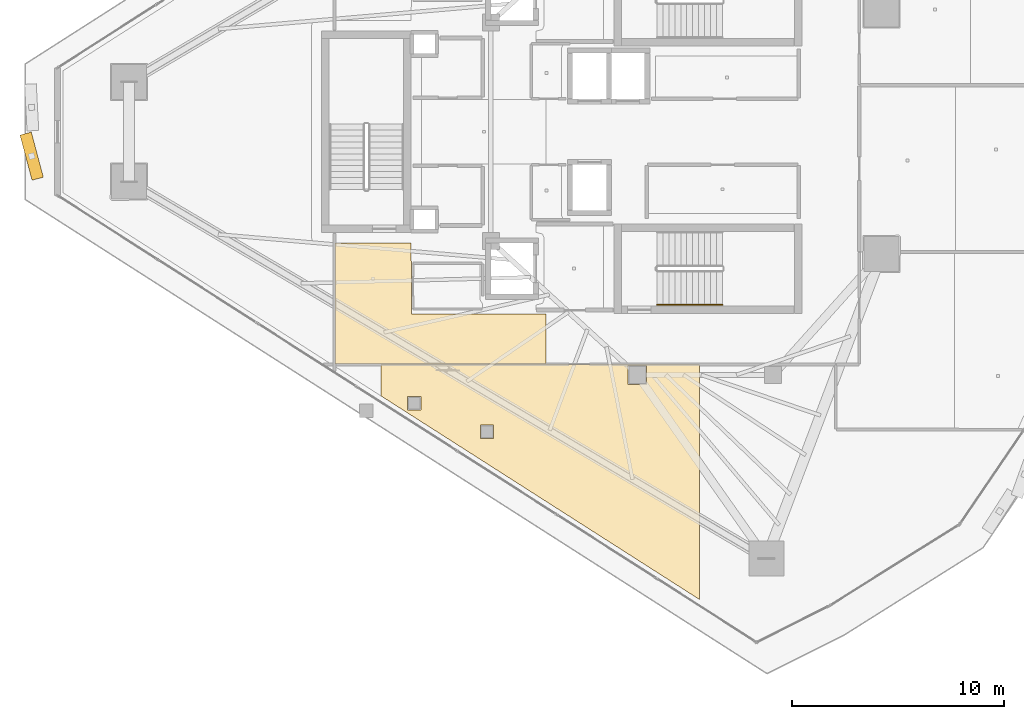
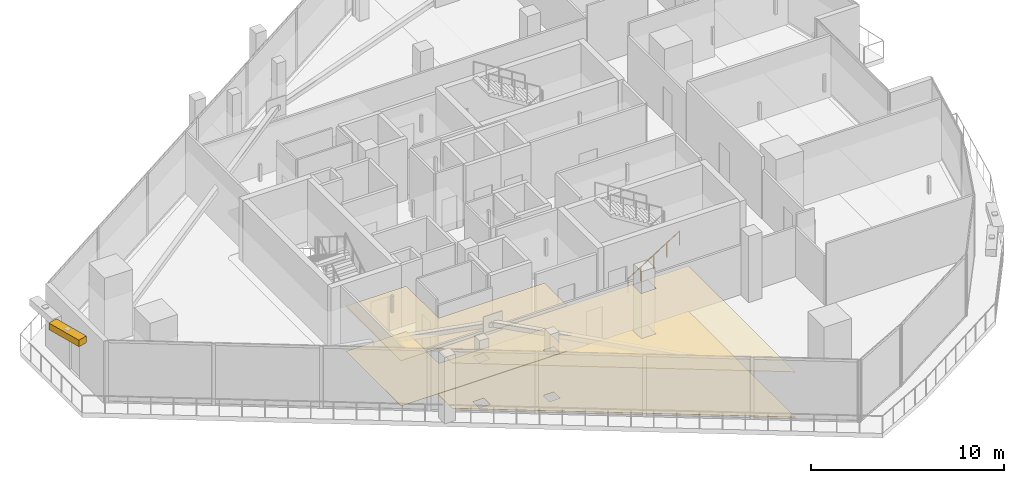
# One storey, part 29 of 34: 4 coverings, 1 railing, 1 shading device.
"""IFC4 building model written with IfcOpenShell, lengths in metres."""

import ifcopenshell
import ifcopenshell.guid

model = None  # the IFC model being written
_history = None  # IfcOwnerHistory: only IFC2X3 demands one
_inside = {}  # id of a spatial element -> (the spatial element, [elements in it])
_under = {}  # id of a project, library or spatial element -> (it, [spatial elements below it])
_declared = {}  # id of a project -> (the project, [libraries it declares])
_typed = {}  # id of a type object -> (the type object, [elements of that type])
_made_of = {}  # id of a material, layer set ... -> (it, [elements and type objects made of it])


def new_model(schema):
    """Start an empty IFC model of exactly this schema.

    Asked for "IFC4X3", IfcOpenShell would pick the latest addendum, in which some entities
    have other attributes; the version numbers below select the first issue.
    IFC2X3 requires an IfcOwnerHistory on every rooted entity: one is made here for all.
    """
    global model, _history
    if schema == "IFC4X3":
        model = ifcopenshell.file(schema_version=(4, 3, 0, 0))
    else:
        model = ifcopenshell.file(schema=schema)
    _inside.clear()
    _under.clear()
    _declared.clear()
    _typed.clear()
    _made_of.clear()
    _history = None
    if model.schema == "IFC2X3":
        org = make("IfcOrganization", Name="unknown")
        user = make(
            "IfcPersonAndOrganization",
            ThePerson=make("IfcPerson", FamilyName="unknown"),
            TheOrganization=org,
        )
        app = make(
            "IfcApplication",
            ApplicationDeveloper=org,
            Version="unknown",
            ApplicationFullName="unknown",
            ApplicationIdentifier="unknown",
        )
        _history = make(
            "IfcOwnerHistory",
            OwningUser=user,
            OwningApplication=app,
            ChangeAction="ADDED",
            CreationDate=0,
        )
    return model


def make(cls, **values):
    """One entity of the class cls with the attributes given. An attribute that is None is left unset."""
    return model.create_entity(
        cls, **{name: value for name, value in values.items() if value is not None}
    )


def rooted(cls, **values):
    """An entity with a GlobalId (a new one), such as an element, a storey or a relation."""
    return make(cls, GlobalId=ifcopenshell.guid.new(), OwnerHistory=_history, **values)


def si_unit(unit_type, name, prefix=None):
    """IfcSIUnit, for example si_unit("LENGTHUNIT", "METRE", prefix="MILLI")."""
    return make("IfcSIUnit", UnitType=unit_type, Prefix=prefix, Name=name)


def assignment(units):
    """IfcUnitAssignment: the units of a project."""
    return None if units is None else make("IfcUnitAssignment", Units=units)


def point(xyz):
    """IfcCartesianPoint."""
    return None if xyz is None else make("IfcCartesianPoint", Coordinates=xyz)


def direction(xyz):
    """IfcDirection."""
    return None if xyz is None else make("IfcDirection", DirectionRatios=xyz)


def frame(location, z_axis=None, x_axis=None):
    """IfcAxis2Placement3D, a coordinate frame: its origin and axes. An axis left out is left unset."""
    return make(
        "IfcAxis2Placement3D",
        Location=point(location),
        Axis=direction(z_axis),
        RefDirection=direction(x_axis),
    )


def frame_2d(location, x_axis=None):
    """IfcAxis2Placement2D, a coordinate frame in the plane: its origin and x axis."""
    return make(
        "IfcAxis2Placement2D", Location=point(location), RefDirection=direction(x_axis)
    )


def origin():
    """The frame at (0, 0, 0) with its axes left unset."""
    return frame((0.0, 0.0, 0.0))


def origin_2d():
    """The frame at (0, 0) in the plane with its x axis left unset."""
    return frame_2d((0.0, 0.0))


def place(relative_to, where):
    """IfcLocalPlacement: puts the frame where relative to a parent placement (None: the world)."""
    return make(
        "IfcLocalPlacement", PlacementRelTo=relative_to, RelativePlacement=where
    )


def context(
    kind, dimensions, precision=None, world=None, true_north=None, identifier=None
):
    """IfcGeometricRepresentationContext, for example the 3D "Model" context."""
    return make(
        "IfcGeometricRepresentationContext",
        ContextIdentifier=identifier,
        ContextType=kind,
        CoordinateSpaceDimension=dimensions,
        Precision=precision,
        WorldCoordinateSystem=world,
        TrueNorth=true_north,
    )


def subcontext(parent, identifier, kind, view, scale=None):
    """IfcGeometricRepresentationSubContext, for example "Body" below "Model"."""
    return make(
        "IfcGeometricRepresentationSubContext",
        ContextIdentifier=identifier,
        ContextType=kind,
        ParentContext=parent,
        TargetScale=scale,
        TargetView=view,
    )


def project(units=None, contexts=None):
    """IfcProject with its units and contexts."""
    return rooted(
        "IfcProject",
        Name="project",
        RepresentationContexts=contexts,
        UnitsInContext=assignment(units),
    )


def spatial(cls, under=None, at=None, **own):
    """A site, building, storey or space (cls), placed at a placement, below another one or the project."""
    s = rooted(cls, ObjectPlacement=at, **own)
    if under is not None:
        _under.setdefault(under.id(), (under, []))[1].append(s)
    return s


def polyline(points):
    """IfcPolyline through the points."""
    return make("IfcPolyline", Points=[point(p) for p in points])


def profile(cls, at=None, kind="AREA", **sizes):
    """A parametric profile (cls). Its sizes go by their IFC names, for example OverallWidth=200.0."""
    return make(cls, ProfileType=kind, Position=at, **sizes)


def rectangle(**sizes):
    """IfcRectangleProfileDef."""
    return profile("IfcRectangleProfileDef", **sizes)


def circle(**sizes):
    """IfcCircleProfileDef."""
    return profile("IfcCircleProfileDef", **sizes)


def outline(outer, holes=None, kind="AREA"):
    """IfcArbitraryClosedProfileDef: a profile drawn as a closed curve; with holes, ...WithVoids."""
    if holes is None:
        return make("IfcArbitraryClosedProfileDef", ProfileType=kind, OuterCurve=outer)
    return make(
        "IfcArbitraryProfileDefWithVoids",
        ProfileType=kind,
        OuterCurve=outer,
        InnerCurves=holes,
    )


def extrude(swept, where, along, depth):
    """IfcExtrudedAreaSolid: the profile swept, set in the frame where, extruded along a direction by depth."""
    return make(
        "IfcExtrudedAreaSolid",
        SweptArea=swept,
        Position=where,
        ExtrudedDirection=direction(along),
        Depth=depth,
    )


def shape(context_of_items, identifier, shape_type, items):
    """IfcShapeRepresentation: the items that make up one representation, for example the "Body"."""
    return make(
        "IfcShapeRepresentation",
        ContextOfItems=context_of_items,
        RepresentationIdentifier=identifier,
        RepresentationType=shape_type,
        Items=items,
    )


def material(Name=None, Category=None):
    """IfcMaterial."""
    return make("IfcMaterial", Name=Name, Category=Category)


def layer(
    of_material, thickness, ventilated=None, Name=None, Category=None, Priority=None
):
    """IfcMaterialLayer: one layer of a wall or slab, of a material (None: an air gap)."""
    return make(
        "IfcMaterialLayer",
        Material=of_material,
        LayerThickness=thickness,
        IsVentilated=ventilated,
        Name=Name,
        Category=Category,
        Priority=Priority,
    )


def layer_set(layers, Name=None):
    """IfcMaterialLayerSet."""
    return make("IfcMaterialLayerSet", MaterialLayers=layers, LayerSetName=Name)


def made_of(thing, what):
    """Note that an element or type object is made of a material, layer set ...; save() writes the relation."""
    if what is not None:
        _made_of.setdefault(what.id(), (what, []))[1].append(thing)
    return thing


def type_object(cls, material=None, **own):
    """A type object (cls), such as IfcWallType, which elements share."""
    return made_of(rooted(cls, **own), material)


def element(
    cls,
    number,
    at=None,
    inside=None,
    cuts=None,
    type_object=None,
    material=None,
    context=None,
    identifier="Body",
    shape_type=None,
    held_by="IfcProductDefinitionShape",
    body=None,
    shapes=None,
    **own,
):
    """One element of the class cls, such as IfcWall. Its Tag is "e" and its number.

    at: its placement. inside: the storey or other place that contains it. cuts: it is an
    opening in that element (IfcRelVoidsElement). A single representation is given by context,
    identifier, shape_type and body (its items); several are given by shapes. held_by: the class
    of the entity that holds the representations. save() writes the other relations.
    """
    e = rooted(cls, Tag="e%d" % number, ObjectPlacement=at, **own)
    if body is not None:
        shapes = [shape(context, identifier, shape_type, body)]
    if shapes is not None:
        e.Representation = make(held_by, Representations=shapes)
    if inside is not None:
        _inside.setdefault(inside.id(), (inside, []))[1].append(e)
    if cuts is not None:
        rooted(
            "IfcRelVoidsElement", RelatingBuildingElement=cuts, RelatedOpeningElement=e
        )
    if type_object is not None:
        _typed.setdefault(type_object.id(), (type_object, []))[1].append(e)
    return made_of(e, material)


def aggregate(whole, parts):
    """IfcRelAggregates: a whole, such as a stair, and the parts it consists of."""
    return rooted("IfcRelAggregates", RelatingObject=whole, RelatedObjects=parts)


def save(model, path):
    """Write the relations noted so far, then the file.

    IfcRelAggregates (storeys below a building ...), IfcRelContainedInSpatialStructure (elements
    in a storey), IfcRelDefinesByType, IfcRelAssociatesMaterial and IfcRelDeclares: one each for
    every whole, place, type object, material and project.
    """
    for whole, parts in _under.values():
        aggregate(whole, parts)
    for where, things in _inside.values():
        rooted(
            "IfcRelContainedInSpatialStructure",
            RelatedElements=things,
            RelatingStructure=where,
        )
    for kind, things in _typed.values():
        rooted("IfcRelDefinesByType", RelatedObjects=things, RelatingType=kind)
    for what, things in _made_of.values():
        rooted("IfcRelAssociatesMaterial", RelatedObjects=things, RelatingMaterial=what)
    for by, libraries in _declared.values():
        rooted("IfcRelDeclares", RelatingContext=by, RelatedDefinitions=libraries)
    model.write(path)


model = new_model("IFC4")

# Units and contexts
model_context = context("Model", 3, precision=1e-05, world=origin(), true_north=direction((0.0, 1.0)))
body_context = subcontext(model_context, "Body", "Model", "MODEL_VIEW")
ifc_project = project(units=[si_unit("LENGTHUNIT", "METRE"), si_unit("AREAUNIT", "SQUARE_METRE"), si_unit("VOLUMEUNIT", "CUBIC_METRE"), si_unit("PLANEANGLEUNIT", "RADIAN"), si_unit("MASSUNIT", "GRAM", prefix="KILO")], contexts=[model_context])

# Site, building, storey
site_placement = place(None, origin())
site = spatial("IfcSite", under=ifc_project, at=site_placement, CompositionType="ELEMENT")
building_placement = place(site_placement, origin())
building = spatial("IfcBuilding", under=site, at=building_placement, Name="Qorvath Tower", CompositionType="ELEMENT")
storey_placement = place(building_placement, frame((0.0, 0.0, 276.60009765625)))
storey = spatial("IfcBuildingStorey", under=building, at=storey_placement, Name="L64", CompositionType="ELEMENT", Elevation=276.60009765625)

# Coverings
ifc_material_1 = material(Name="Acoustic mineral fibre ceiling tile", Category="gypsum")
ifc_layer_1 = layer(ifc_material_1, 0.030029296875)
ifc_layer_set_1 = layer_set([ifc_layer_1], Name="COV-CEIL")
covering_type_1 = type_object("IfcCoveringType", Name="COV-CEIL", PredefinedType="CEILING", material=ifc_layer_set_1)
covering_1_placement = place(storey_placement, frame((0.0, 0.0, 2.849853515625)))
element("IfcCovering", 1, at=covering_1_placement, inside=storey, type_object=covering_type_1, Name="L64 Suspended Acoustic Ceiling 011", PredefinedType="CEILING", context=body_context, shape_type="SweptSolid", body=[
    extrude(outline(polyline([(-34.22509765625, -8.580078125), (-34.251220703125, -5.239990234375), (-37.844970703125, -5.239990234375), (-37.844970703125, -10.945068359375), (-27.8984375, -10.945068359375), (-27.8984375, -8.575927734375), (-34.22509765625, -8.580078125)])), origin(), (0.0, 0.0, 1.0), 0.030029296875),
])
covering_2_placement = place(storey_placement, frame((0.0, 0.0, 2.849853515625)))
element("IfcCovering", 2, at=covering_2_placement, inside=storey, type_object=covering_type_1, Name="L64 Suspended Acoustic Ceiling 016", PredefinedType="CEILING", context=body_context, shape_type="SweptSolid", body=[
    extrude(outline(polyline([(-35.662841796875, -10.95849609375), (-35.662841796875, -12.44580078125), (-20.67431640625, -22.025390625), (-20.67431640625, -10.961669921875), (-35.662841796875, -10.95849609375)]), holes=[polyline([(-24.04248046875, -11.892333984375), (-24.04248046875, -11.007568359375), (-23.157470703125, -11.007568359375), (-23.157470703125, -11.892333984375), (-24.04248046875, -11.892333984375)]), polyline([(-30.99462890625, -14.441650390625), (-30.99462890625, -13.806884765625), (-30.35986328125, -13.806884765625), (-30.35986328125, -14.441650390625), (-30.99462890625, -14.441650390625)]), polyline([(-34.421630859375, -13.10986328125), (-34.421630859375, -12.47509765625), (-33.786865234375, -12.47509765625), (-33.786865234375, -13.10986328125), (-34.421630859375, -13.10986328125)])]), origin(), (0.0, 0.0, 1.0), 0.030029296875),
])
ifc_material_2 = material(Name="Low-VOC modular carpet tile", Category="textile")
ifc_layer_2 = layer(ifc_material_2, 0.014892578125)
ifc_layer_set_2 = layer_set([ifc_layer_2], Name="COV-FLOOR-CPT")
covering_type_2 = type_object("IfcCoveringType", Name="COV-FLOOR-CPT", PredefinedType="FLOORING", material=ifc_layer_set_2)
covering_3_placement = place(storey_placement, origin())
element("IfcCovering", 3, at=covering_3_placement, inside=storey, type_object=covering_type_2, Name="L64 Floor Finish 016", PredefinedType="FLOORING", context=body_context, shape_type="SweptSolid", body=[
    extrude(outline(polyline([(-35.662841796875, -10.95849609375), (-35.662841796875, -12.44580078125), (-20.67431640625, -22.025390625), (-20.67431640625, -10.961669921875), (-35.662841796875, -10.95849609375)]), holes=[polyline([(-24.04248046875, -11.892333984375), (-24.04248046875, -11.007568359375), (-23.157470703125, -11.007568359375), (-23.157470703125, -11.892333984375), (-24.04248046875, -11.892333984375)]), polyline([(-30.99462890625, -14.441650390625), (-30.99462890625, -13.806884765625), (-30.35986328125, -13.806884765625), (-30.35986328125, -14.441650390625), (-30.99462890625, -14.441650390625)]), polyline([(-34.421630859375, -13.10986328125), (-34.421630859375, -12.47509765625), (-33.786865234375, -12.47509765625), (-33.786865234375, -13.10986328125), (-34.421630859375, -13.10986328125)])]), origin(), (0.0, 0.0, 1.0), 0.014892578125),
])
ifc_material_3 = material(Name="Polished epoxy terrazzo flooring", Category="concrete")
ifc_layer_3 = layer(ifc_material_3, 0.02001953125)
ifc_layer_set_3 = layer_set([ifc_layer_3], Name="COV-FLOOR-TRZ")
covering_type_3 = type_object("IfcCoveringType", Name="COV-FLOOR-TRZ", PredefinedType="FLOORING", material=ifc_layer_set_3)
covering_4_placement = place(storey_placement, origin())
element("IfcCovering", 4, at=covering_4_placement, inside=storey, type_object=covering_type_3, Name="L64 Floor Finish 011", PredefinedType="FLOORING", context=body_context, shape_type="SweptSolid", body=[
    extrude(outline(polyline([(-34.22509765625, -8.580078125), (-34.251220703125, -5.239990234375), (-37.844970703125, -5.239990234375), (-37.844970703125, -10.945068359375), (-27.8984375, -10.945068359375), (-27.8984375, -8.575927734375), (-34.22509765625, -8.580078125)])), origin(), (0.0, 0.0, 1.0), 0.014892578125),
])

# Railing
ifc_material_4 = material(Name="Brushed stainless steel AISI 304", Category="steel")
railing_type = type_object("IfcRailingType", Name="RL-STR-HND", PredefinedType="HANDRAIL", material=ifc_material_4)
railing_placement = place(storey_placement, frame((-22.669921875, -8.14990234375, 0.1748046875)))
element("IfcRailing", 5, at=railing_placement, inside=storey, type_object=railing_type, Name="L64 TS2 stair handrail 1", PredefinedType="HANDRAIL", context=body_context, shape_type="SweptSolid", body=[
    extrude(circle(Radius=0.02392578125, at=origin_2d()), frame((0.0, 0.0, 0.8759765625), z_axis=(0.847979421464, 0.0, 0.530029150871), x_axis=(0.0, 1.0, 0.0)), (0.0, 0.0, 1.0), 3.632080078125),
    extrude(circle(Radius=0.02099609375, at=origin_2d()), origin(), (0.0, 0.0, 1.0), 0.851806640625),
    extrude(circle(Radius=0.02099609375, at=origin_2d()), frame((0.77001953125, 0.0, 0.481201171875)), (0.0, 0.0, 1.0), 0.851806640625),
    extrude(circle(Radius=0.02099609375, at=origin_2d()), frame((1.5400390625, 0.0, 0.96240234375)), (0.0, 0.0, 1.0), 0.851806640625),
    extrude(circle(Radius=0.02099609375, at=origin_2d()), frame((2.309814453125, 0.0, 1.44384765625)), (0.0, 0.0, 1.0), 0.851806640625),
    extrude(circle(Radius=0.02099609375, at=origin_2d()), frame((3.079833984375, 0.0, 1.925048828125)), (0.0, 0.0, 1.0), 0.851806640625),
])

# Shading device
ifc_material_5 = material(Name="Anodised bronze-champagne aluminium", Category="aluminium")
shading_device_type = type_object("IfcShadingDeviceType", Name="SD-LOUVRE", PredefinedType="JALOUSIE", material=ifc_material_5)
shading_device_placement = place(storey_placement, frame((-52.121337890625, -1.14892578125, 3.489990234375), z_axis=(0.0, 0.0, 1.0), x_axis=(0.258041780595, -0.96613375858, 0.0)))
element("IfcShadingDevice", 6, at=shading_device_placement, inside=storey, type_object=shading_device_type, Name="Sinusoidal Wave Louvre Blade L64-02", PredefinedType="NOTDEFINED", context=body_context, shape_type="SweptSolid", body=[
    extrude(rectangle(XDim=2.199951171875, YDim=0.550048828125, at=origin_2d()), origin(), (0.0, 0.0, 1.0), 0.419921875),
])

save(model, "model.ifc")
